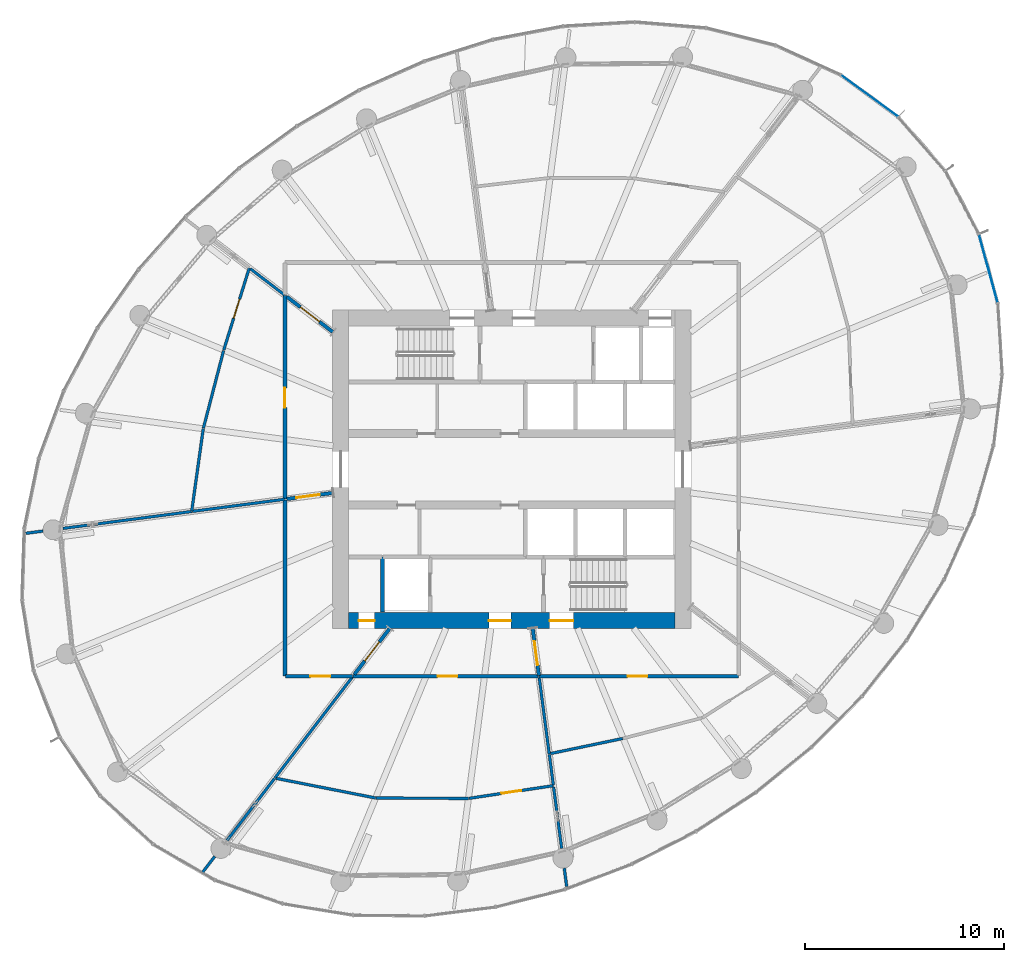
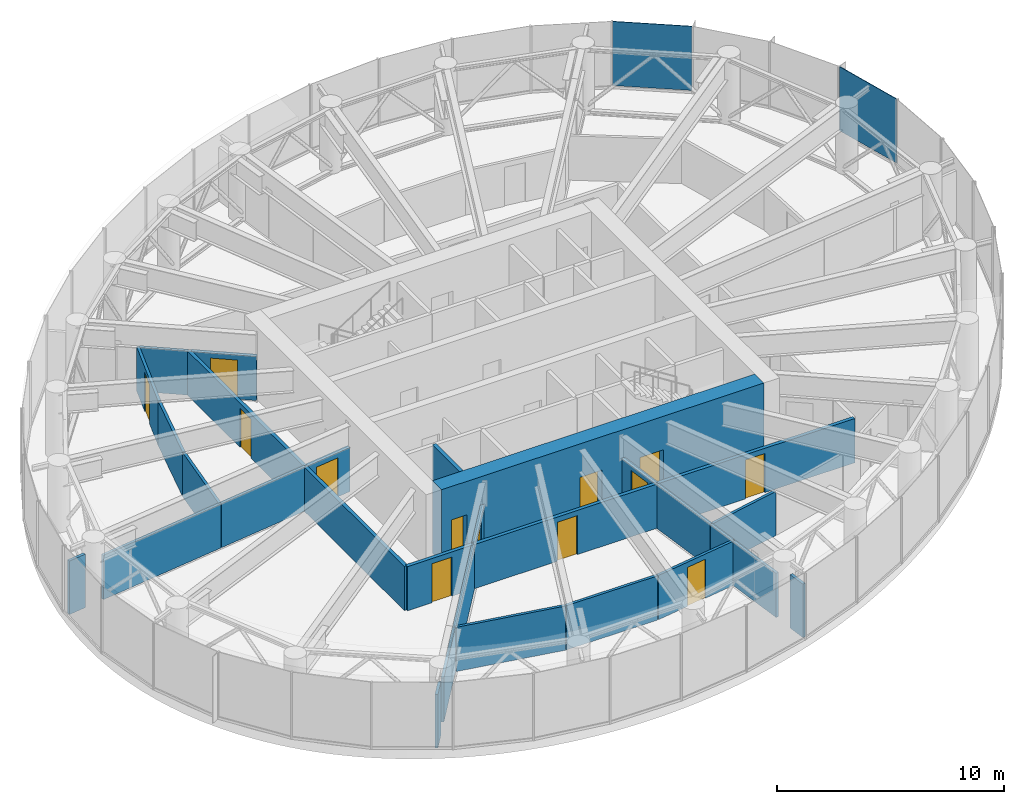
# One storey, part 13 of 25: 29 walls, 13 doors, 2 plates, 13 openings, 2 elements without a shape of their own.
"""IFC4 building model written with IfcOpenShell, lengths in metres."""

from ifc_helpers import new_model, si_unit, direction, frame, frame_2d, origin, origin_2d, place, context, subcontext, project, spatial, rectangle, extrude, source, transform, mapped, material, layer, layer_set, type_object, element, fill, aggregate, save


model = new_model("IFC4")

# Units and contexts
model_context = context("Model", 3, precision=1e-05, world=origin(), true_north=direction((0.0, 1.0)))
body_context = subcontext(model_context, "Body", "Model", "MODEL_VIEW")
ifc_project = project(units=[si_unit("LENGTHUNIT", "METRE"), si_unit("AREAUNIT", "SQUARE_METRE"), si_unit("VOLUMEUNIT", "CUBIC_METRE"), si_unit("PLANEANGLEUNIT", "RADIAN"), si_unit("MASSUNIT", "GRAM", prefix="KILO")], contexts=[model_context])

# Site, building, storey
site_placement = place(None, origin())
site = spatial("IfcSite", under=ifc_project, at=site_placement, CompositionType="ELEMENT")
building_placement = place(site_placement, origin())
building = spatial("IfcBuilding", under=site, at=building_placement, Name="Spindrift Exchange Tower", CompositionType="ELEMENT")
storey_placement = place(building_placement, frame((0.0, 0.0, 179.89990234375)))
storey = spatial("IfcBuildingStorey", under=building, at=storey_placement, Name="L43", CompositionType="ELEMENT", Elevation=179.89990234375)

# Curtain wall, plate
ifc_material_1 = material(Name="Fritted laminated glass with bronze frame", Category="glass")
ifc_layer_1 = layer(ifc_material_1, 0.179931640625)
ifc_layer_set_1 = layer_set([ifc_layer_1], Name="ZONE 3 BRONZE FRITTED WALL")
curtain_wall_type = type_object("IfcCurtainWallType", Name="ZONE 3 BRONZE FRITTED WALL", PredefinedType="NOTDEFINED", material=ifc_layer_set_1)
curtain_wall_1_placement = place(storey_placement, origin())
curtain_wall_1 = element("IfcCurtainWall", 1, at=curtain_wall_1_placement, inside=storey, type_object=curtain_wall_type, Name="L43 Zone 3 Bronze Fritted Wall run 1", PredefinedType="NOTDEFINED")
ifc_material_2 = material(Name="Bronze fritted laminated glass, dense frit", Category="glass")
ifc_layer_2 = layer(ifc_material_2, 0.031982421875)
ifc_layer_set_2 = layer_set([ifc_layer_2], Name="ZONE 3 BRONZE FRITTED WALL PANEL DENSE FRIT 180")
plate_type_1 = type_object("IfcPlateType", Name="ZONE 3 BRONZE FRITTED WALL PANEL DENSE FRIT 180", PredefinedType="CURTAIN_PANEL", material=ifc_layer_set_2)
shared_shape_1 = source(origin(), body_context, "Body", "SweptSolid", [
    extrude(rectangle(XDim=3.52587890625, YDim=0.031982421875, at=origin_2d()), origin(), (0.0, 0.0, 1.0), 3.449951171875),
])
plate_1_placement = place(storey_placement, frame((69.9833984375, 66.773193359375, 0.1298828125), z_axis=(0.0, 0.0, 1.0), x_axis=(-0.807117995977, 0.590390159615, 0.0)))
plate_1 = element("IfcPlate", 2, at=plate_1_placement, type_object=plate_type_1, Name="L43 panel CW-3.2", PredefinedType="CURTAIN_PANEL", context=body_context, shape_type="MappedRepresentation", body=[
    mapped(shared_shape_1, transform((0.0, 0.0, 0.0), scale=1.0)),
])
aggregate(curtain_wall_1, [plate_1])

curtain_wall_2_placement = place(storey_placement, origin())
curtain_wall_2 = element("IfcCurtainWall", 3, at=curtain_wall_2_placement, inside=storey, type_object=curtain_wall_type, Name="L43 Zone 3 Bronze Fritted Wall run 7", PredefinedType="NOTDEFINED")
ifc_layer_3 = layer(ifc_material_2, 0.031982421875)
ifc_layer_set_3 = layer_set([ifc_layer_3], Name="ZONE 3 BRONZE FRITTED WALL PANEL DENSE FRIT 420")
plate_type_2 = type_object("IfcPlateType", Name="ZONE 3 BRONZE FRITTED WALL PANEL DENSE FRIT 420", PredefinedType="CURTAIN_PANEL", material=ifc_layer_set_3)
shared_shape_2 = source(origin(), body_context, "Body", "SweptSolid", [
    extrude(rectangle(XDim=3.525634765625, YDim=0.031982421875, at=origin_2d()), origin(), (0.0, 0.0, 1.0), 3.449951171875),
])
plate_2_placement = place(storey_placement, frame((75.95751953125, 58.093994140625, 0.1298828125), z_axis=(0.0, 0.0, 1.0), x_axis=(-0.26322990572, 0.964733132392, 0.0)))
plate_2 = element("IfcPlate", 4, at=plate_2_placement, type_object=plate_type_2, Name="L43 panel CW-3.40", PredefinedType="CURTAIN_PANEL", context=body_context, shape_type="MappedRepresentation", body=[
    mapped(shared_shape_2, transform((0.0, 0.0, 0.0), scale=1.0)),
])
aggregate(curtain_wall_2, [plate_2])

# Wall, openings, doors
ifc_material_3 = material(Name="Concrete 65 MPa", Category="concrete")
ifc_layer_4 = layer(ifc_material_3, 0.800048828125)
ifc_layer_set_4 = layer_set([ifc_layer_4], Name="RC Core Wall 800 Concrete 65 MPa")
wall_type_1 = type_object("IfcWallType", Name="RC Core Wall 800 Concrete 65 MPa", PredefinedType="SHEAR", material=ifc_layer_set_4)
wall_1_placement = place(storey_placement, frame((43.800048828125, 40.39990234375, 0.0), z_axis=(0.0, 0.0, 1.0), x_axis=(1.0, 0.0, 0.0)))
wall_1 = element("IfcWall", 5, at=wall_1_placement, inside=storey, type_object=wall_type_1, Name="Core wall S L43", PredefinedType="SHEAR", context=body_context, shape_type="SweptSolid", body=[
    extrude(rectangle(XDim=16.39990234375, YDim=0.800048828125, at=frame_2d((8.199951171875, 0.0))), origin(), (0.0, 0.0, 1.0), 3.900146484375),
])
opening_1_placement = place(wall_1_placement, frame((10.10009765625, 0.0, 0.0)))
opening_1 = element("IfcOpeningElement", 6, at=opening_1_placement, cuts=wall_1, Name="Opening L43-D9", PredefinedType="OPENING", context=body_context, shape_type="SweptSolid", body=[
    extrude(rectangle(XDim=1.199951171875, YDim=2.10009765625, at=frame_2d((0.60009765625, 1.050048828125))), frame((0.0, 0.409912109375, 0.0), z_axis=(0.0, -1.0, 0.0), x_axis=(1.0, 0.0, 0.0)), (0.0, 0.0, 1.0), 0.820068359375),
])
opening_2_placement = place(wall_1_placement, frame((7.050048828125, 0.0, 0.0)))
opening_2 = element("IfcOpeningElement", 7, at=opening_2_placement, cuts=wall_1, Name="Opening L43-D11", PredefinedType="OPENING", context=body_context, shape_type="SweptSolid", body=[
    extrude(rectangle(XDim=1.10009765625, YDim=2.10009765625, at=frame_2d((0.550048828125, 1.050048828125))), frame((0.0, 0.409912109375, 0.0), z_axis=(0.0, -1.0, 0.0), x_axis=(1.0, 0.0, 0.0)), (0.0, 0.0, 1.0), 0.820068359375),
])
opening_3_placement = place(wall_1_placement, frame((0.5, 0.0, 0.0)))
opening_3 = element("IfcOpeningElement", 8, at=opening_3_placement, cuts=wall_1, Name="Opening L43-D12", PredefinedType="OPENING", context=body_context, shape_type="SweptSolid", body=[
    extrude(rectangle(XDim=0.800048828125, YDim=2.10009765625, at=frame_2d((0.39990234375, 1.050048828125))), frame((0.0, 0.409912109375, 0.0), z_axis=(0.0, -1.0, 0.0), x_axis=(1.0, 0.0, 0.0)), (0.0, 0.0, 1.0), 0.820068359375),
])
ifc_material_4 = material(Name="Steel fire door", Category="steel")
door_type_1 = type_object("IfcDoorType", Name="DR-STAIR-1200", OperationType="NOTDEFINED", PredefinedType="DOOR", material=ifc_material_4)
shared_shape_3 = source(origin(), body_context, "Body", "SweptSolid", [
    extrude(rectangle(XDim=1.199951171875, YDim=2.10009765625, at=frame_2d((0.60009765625, 1.050048828125))), frame((0.0, 0.02490234375, 0.0), z_axis=(0.0, -1.0, 0.0), x_axis=(1.0, 0.0, 0.0)), (0.0, 0.0, 1.0), 0.050048828125),
])
door_1_placement = place(opening_1_placement, origin())
door_1 = element("IfcDoor", 9, at=door_1_placement, inside=storey, type_object=door_type_1, Name="L43 Stair door 9", OperationType="SINGLE_SWING_RIGHT", OverallHeight=2.10009765625, OverallWidth=1.199951171875, PredefinedType="DOOR", context=body_context, shape_type="MappedRepresentation", body=[
    mapped(shared_shape_3, transform((0.0, 0.0, 0.0), scale=1.0)),
])
fill(opening_1, door_1)
ifc_material_5 = material(Name="Timber-core fire door", Category="wood")
door_type_2 = type_object("IfcDoorType", Name="DR-LOBBY-1100", OperationType="NOTDEFINED", PredefinedType="DOOR", material=ifc_material_5)
shared_shape_4 = source(origin(), body_context, "Body", "SweptSolid", [
    extrude(rectangle(XDim=1.10009765625, YDim=2.10009765625, at=frame_2d((0.550048828125, 1.050048828125))), frame((0.0, 0.02490234375, 0.0), z_axis=(0.0, -1.0, 0.0), x_axis=(1.0, 0.0, 0.0)), (0.0, 0.0, 1.0), 0.050048828125),
])
door_2_placement = place(opening_2_placement, origin())
door_2 = element("IfcDoor", 10, at=door_2_placement, inside=storey, type_object=door_type_2, Name="L43 Lobby door 11", OperationType="SINGLE_SWING_RIGHT", OverallHeight=2.10009765625, OverallWidth=1.10009765625, PredefinedType="DOOR", context=body_context, shape_type="MappedRepresentation", body=[
    mapped(shared_shape_4, transform((0.0, 0.0, 0.0), scale=1.0)),
])
fill(opening_2, door_2)
ifc_material_6 = material(Name="Steel access door", Category="steel")
door_type_3 = type_object("IfcDoorType", Name="DR-RISER-800", OperationType="NOTDEFINED", PredefinedType="DOOR", material=ifc_material_6)
shared_shape_5 = source(origin(), body_context, "Body", "SweptSolid", [
    extrude(rectangle(XDim=0.800048828125, YDim=2.10009765625, at=frame_2d((0.39990234375, 1.050048828125))), frame((0.0, 0.02490234375, 0.0), z_axis=(0.0, -1.0, 0.0), x_axis=(1.0, 0.0, 0.0)), (0.0, 0.0, 1.0), 0.050048828125),
])
door_3_placement = place(opening_3_placement, origin())
door_3 = element("IfcDoor", 11, at=door_3_placement, inside=storey, type_object=door_type_3, Name="L43 Riser door 12", OperationType="SINGLE_SWING_LEFT", OverallHeight=2.10009765625, OverallWidth=0.800048828125, PredefinedType="DOOR", context=body_context, shape_type="MappedRepresentation", body=[
    mapped(shared_shape_5, transform((0.0, 0.0, 0.0), scale=1.0)),
])
fill(opening_3, door_3)

# Wall, opening, door
ifc_material_7 = material(Name="Fire-rated plasterboard partition", Category="gypsum")
ifc_layer_5 = layer(ifc_material_7, 0.179931640625)
ifc_layer_set_5 = layer_set([ifc_layer_5], Name="W-CORR-180-SOFFIT")
wall_type_2 = type_object("IfcWallType", Name="W-CORR-180-SOFFIT", PredefinedType="PARTITIONING", material=ifc_layer_set_5)
wall_2_placement = place(storey_placement, frame((40.68994140625, 56.678466796875, 0.0), z_axis=(0.0, 0.0, 1.0), x_axis=(0.793371480341, -0.608737787706, 0.0)))
wall_2 = element("IfcWall", 12, at=wall_2_placement, inside=storey, type_object=wall_type_2, Name="L43 Partition wall 37", PredefinedType="PARTITIONING", context=body_context, shape_type="SweptSolid", body=[
    extrude(rectangle(XDim=2.91162109375, YDim=0.179931640625, at=frame_2d((1.455810546875, 0.0))), origin(), (0.0, 0.0, 1.0), 2.380126953125),
])
opening_4_placement = place(wall_2_placement, frame((0.86181640625, 0.0, 0.0)))
opening_4 = element("IfcOpeningElement", 13, at=opening_4_placement, cuts=wall_2, Name="Opening L43-D28", PredefinedType="OPENING", context=body_context, shape_type="SweptSolid", body=[
    extrude(rectangle(XDim=1.199951171875, YDim=2.10009765625, at=frame_2d((0.60009765625, 1.050048828125))), frame((0.0, 0.099853515625, 0.0), z_axis=(0.0, -1.0, 0.0), x_axis=(1.0, 0.0, 0.0)), (0.0, 0.0, 1.0), 0.199951171875),
])
door_type_4 = type_object("IfcDoorType", Name="DR-PLANT-1200", OperationType="NOTDEFINED", PredefinedType="DOOR", material=ifc_material_4)
shared_shape_6 = source(origin(), body_context, "Body", "SweptSolid", [
    extrude(rectangle(XDim=1.199951171875, YDim=2.10009765625, at=frame_2d((0.60009765625, 1.050048828125))), frame((0.0, 0.02490234375, 0.0), z_axis=(0.0, -1.0, 0.0), x_axis=(1.0, 0.0, 0.0)), (0.0, 0.0, 1.0), 0.050048828125),
])
door_4_placement = place(opening_4_placement, origin())
door_4 = element("IfcDoor", 14, at=door_4_placement, inside=storey, type_object=door_type_4, Name="L43 Plant room door 28", OperationType="SINGLE_SWING_LEFT", OverallHeight=2.10009765625, OverallWidth=1.199951171875, PredefinedType="DOOR", context=body_context, shape_type="MappedRepresentation", body=[
    mapped(shared_shape_6, transform((0.0, 0.0, 0.0), scale=1.0)),
])
fill(opening_4, door_4)

wall_3_placement = place(storey_placement, frame((44.0888671875, 37.68994140625, 0.0), z_axis=(0.0, 0.0, 1.0), x_axis=(0.608737787706, 0.793371480341, 0.0)))
wall_3 = element("IfcWall", 15, at=wall_3_placement, inside=storey, type_object=wall_type_2, Name="L43 Partition wall 38", PredefinedType="PARTITIONING", context=body_context, shape_type="SweptSolid", body=[
    extrude(rectangle(XDim=2.91162109375, YDim=0.179931640625, at=frame_2d((1.455810546875, 0.0))), origin(), (0.0, 0.0, 1.0), 2.380126953125),
])
opening_5_placement = place(wall_3_placement, frame((0.86181640625, 0.0, 0.0)))
opening_5 = element("IfcOpeningElement", 16, at=opening_5_placement, cuts=wall_3, Name="Opening L43-D30", PredefinedType="OPENING", context=body_context, shape_type="SweptSolid", body=[
    extrude(rectangle(XDim=1.199951171875, YDim=2.10009765625, at=frame_2d((0.60009765625, 1.050048828125))), frame((0.0, 0.099853515625, 0.0), z_axis=(0.0, -1.0, 0.0), x_axis=(1.0, 0.0, 0.0)), (0.0, 0.0, 1.0), 0.199951171875),
])
door_5_placement = place(opening_5_placement, origin())
door_5 = element("IfcDoor", 17, at=door_5_placement, inside=storey, type_object=door_type_4, Name="L43 Plant room door 30", OperationType="SINGLE_SWING_LEFT", OverallHeight=2.10009765625, OverallWidth=1.199951171875, PredefinedType="DOOR", context=body_context, shape_type="MappedRepresentation", body=[
    mapped(shared_shape_6, transform((0.0, 0.0, 0.0), scale=1.0)),
])
fill(opening_5, door_5)

wall_4_placement = place(storey_placement, frame((40.68994140625, 46.510986328125, 0.0), z_axis=(0.0, 0.0, 1.0), x_axis=(0.991440737811, 0.130557509967, 0.0)))
wall_4 = element("IfcWall", 18, at=wall_4_placement, inside=storey, type_object=wall_type_2, Name="L43 Partition wall 41", PredefinedType="PARTITIONING", context=body_context, shape_type="SweptSolid", body=[
    extrude(rectangle(XDim=2.330078125, YDim=0.179931640625, at=frame_2d((1.1650390625, 0.0))), origin(), (0.0, 0.0, 1.0), 2.380126953125),
])
opening_6_placement = place(wall_4_placement, frame((0.47998046875, 0.0, 0.0)))
opening_6 = element("IfcOpeningElement", 19, at=opening_6_placement, cuts=wall_4, Name="Opening L43-D29", PredefinedType="OPENING", context=body_context, shape_type="SweptSolid", body=[
    extrude(rectangle(XDim=1.199951171875, YDim=2.10009765625, at=frame_2d((0.60009765625, 1.050048828125))), frame((0.0, 0.099853515625, 0.0), z_axis=(0.0, -1.0, 0.0), x_axis=(1.0, 0.0, 0.0)), (0.0, 0.0, 1.0), 0.199951171875),
])
door_6_placement = place(opening_6_placement, origin())
door_6 = element("IfcDoor", 20, at=door_6_placement, inside=storey, type_object=door_type_4, Name="L43 Plant room door 29", OperationType="SINGLE_SWING_RIGHT", OverallHeight=2.10009765625, OverallWidth=1.199951171875, PredefinedType="DOOR", context=body_context, shape_type="MappedRepresentation", body=[
    mapped(shared_shape_6, transform((0.0, 0.0, 0.0), scale=1.0)),
])
fill(opening_6, door_6)

wall_5_placement = place(storey_placement, frame((53.365234375, 37.629638671875, 0.0), z_axis=(0.0, 0.0, 1.0), x_axis=(-0.130504701654, 0.991447690424, 0.0)))
wall_5 = element("IfcWall", 21, at=wall_5_placement, inside=storey, type_object=wall_type_2, Name="L43 Partition wall 42", PredefinedType="PARTITIONING", context=body_context, shape_type="SweptSolid", body=[
    extrude(rectangle(XDim=2.390869140625, YDim=0.179931640625, at=frame_2d((1.1953125, 0.0))), origin(), (0.0, 0.0, 1.0), 2.380126953125),
])
opening_7_placement = place(wall_5_placement, frame((0.540771484375, 0.0, 0.0)))
opening_7 = element("IfcOpeningElement", 22, at=opening_7_placement, cuts=wall_5, Name="Opening L43-D31", PredefinedType="OPENING", context=body_context, shape_type="SweptSolid", body=[
    extrude(rectangle(XDim=1.199951171875, YDim=2.10009765625, at=frame_2d((0.60009765625, 1.050048828125))), frame((0.0, 0.099853515625, 0.0), z_axis=(0.0, -1.0, 0.0), x_axis=(1.0, 0.0, 0.0)), (0.0, 0.0, 1.0), 0.199951171875),
])
door_7_placement = place(opening_7_placement, origin())
door_7 = element("IfcDoor", 23, at=door_7_placement, inside=storey, type_object=door_type_4, Name="L43 Plant room door 31", OperationType="SINGLE_SWING_RIGHT", OverallHeight=2.10009765625, OverallWidth=1.199951171875, PredefinedType="DOOR", context=body_context, shape_type="MappedRepresentation", body=[
    mapped(shared_shape_6, transform((0.0, 0.0, 0.0), scale=1.0)),
])
fill(opening_7, door_7)

# Walls
ifc_layer_6 = layer(ifc_material_7, 0.139892578125)
ifc_layer_set_6 = layer_set([ifc_layer_6], Name="W-PLANT-140")
wall_type_3 = type_object("IfcWallType", Name="W-PLANT-140", PredefinedType="PARTITIONING", material=ifc_layer_set_6)
wall_6_placement = place(storey_placement, frame((37.068115234375, 28.540283203125, 0.0), z_axis=(0.0, 0.0, 1.0), x_axis=(-0.608854774338, -0.793281705175, 0.0)))
element("IfcWall", 24, at=wall_6_placement, inside=storey, type_object=wall_type_3, Name="L43 Partition wall 82", PredefinedType="PARTITIONING", context=body_context, shape_type="SweptSolid", body=[
    extrude(rectangle(XDim=0.992919921875, YDim=0.139892578125, at=frame_2d((0.49658203125, 0.0))), origin(), (0.0, 0.0, 1.0), 2.880126953125),
])
wall_7_placement = place(storey_placement, frame((54.639892578125, 27.948486328125, 0.0), z_axis=(0.0, 0.0, 1.0), x_axis=(0.130488267119, -0.99144985357, 0.0)))
element("IfcWall", 25, at=wall_7_placement, inside=storey, type_object=wall_type_3, Name="L43 Partition wall 84", PredefinedType="PARTITIONING", context=body_context, shape_type="SweptSolid", body=[
    extrude(rectangle(XDim=0.935546875, YDim=0.139892578125, at=frame_2d((0.4677734375, 0.0))), origin(), (0.0, 0.0, 1.0), 2.880126953125),
])
wall_8_placement = place(storey_placement, frame((28.43798828125, 44.89794921875, 0.0), z_axis=(0.0, 0.0, 1.0), x_axis=(-0.991459985339, -0.130411262827, 0.0)))
element("IfcWall", 26, at=wall_8_placement, inside=storey, type_object=wall_type_3, Name="L43 Partition wall 87", PredefinedType="PARTITIONING", context=body_context, shape_type="SweptSolid", body=[
    extrude(rectangle(XDim=0.876220703125, YDim=0.139892578125, at=frame_2d((0.43798828125, 0.0))), origin(), (0.0, 0.0, 1.0), 2.880126953125),
])
ifc_layer_7 = layer(ifc_material_7, 0.139892578125)
ifc_layer_set_7 = layer_set([ifc_layer_7], Name="W-PLANT-140-SOFFIT")
wall_type_4 = type_object("IfcWallType", Name="W-PLANT-140-SOFFIT", PredefinedType="PARTITIONING", material=ifc_layer_set_7)
wall_9_placement = place(storey_placement, frame((35.908935546875, 45.881591796875, 0.0), z_axis=(0.0, 0.0, 1.0), x_axis=(-0.991447036881, -0.130509666541, 0.0)))
element("IfcWall", 27, at=wall_9_placement, inside=storey, type_object=wall_type_4, Name="L43 Partition wall 47", PredefinedType="PARTITIONING", context=body_context, shape_type="SweptSolid", body=[
    extrude(rectangle(XDim=6.52685546875, YDim=0.139892578125, at=frame_2d((3.263427734375, 0.0))), origin(), (0.0, 0.0, 1.0), 2.380126953125),
])
wall_10_placement = place(storey_placement, frame((43.99755859375, 37.571044921875, 0.0), z_axis=(0.0, 0.0, 1.0), x_axis=(-0.608770902547, -0.7933460709, 0.0)))
element("IfcWall", 28, at=wall_10_placement, inside=storey, type_object=wall_type_4, Name="L43 Partition wall 48", PredefinedType="PARTITIONING", context=body_context, shape_type="SweptSolid", body=[
    extrude(rectangle(XDim=6.417724609375, YDim=0.139892578125, at=frame_2d((3.208984375, 0.0))), origin(), (0.0, 0.0, 1.0), 2.380126953125),
])
wall_11_placement = place(storey_placement, frame((40.167236328125, 32.46435546875, 0.0), z_axis=(0.0, 0.0, 1.0), x_axis=(0.981032247985, -0.193844598618, 0.0)))
element("IfcWall", 29, at=wall_11_placement, inside=storey, type_object=wall_type_4, Name="L43 Partition wall 51", PredefinedType="PARTITIONING", context=body_context, shape_type="SweptSolid", body=[
    extrude(rectangle(XDim=5.085693359375, YDim=0.139892578125, at=frame_2d((2.54296875, 0.0))), origin(), (0.0, 0.0, 1.0), 2.380126953125),
])
wall_12_placement = place(storey_placement, frame((40.5703125, 46.4951171875, 0.0), z_axis=(0.0, 0.0, 1.0), x_axis=(-0.991448780362, -0.130496421093, 0.0)))
element("IfcWall", 30, at=wall_12_placement, inside=storey, type_object=wall_type_4, Name="L43 Partition wall 57", PredefinedType="PARTITIONING", context=body_context, shape_type="SweptSolid", body=[
    extrude(rectangle(XDim=4.671630859375, YDim=0.139892578125, at=frame_2d((2.3359375, 0.0))), origin(), (0.0, 0.0, 1.0), 2.380126953125),
])
wall_13_placement = place(storey_placement, frame((45.1865234375, 31.478515625, 0.0), z_axis=(0.0, 0.0, 1.0), x_axis=(0.999988261157, -0.004845363671, 0.0)))
element("IfcWall", 31, at=wall_13_placement, inside=storey, type_object=wall_type_4, Name="L43 Partition wall 59", PredefinedType="PARTITIONING", context=body_context, shape_type="SweptSolid", body=[
    extrude(rectangle(XDim=4.635498046875, YDim=0.139892578125, at=frame_2d((2.31787109375, 0.0))), origin(), (0.0, 0.0, 1.0), 2.380126953125),
])

# Wall, opening, door
wall_14_placement = place(storey_placement, frame((37.521240234375, 53.997314453125, 0.0), z_axis=(0.0, 0.0, 1.0), x_axis=(0.297235933426, 0.954804063607, 0.0)))
wall_14 = element("IfcWall", 32, at=wall_14_placement, inside=storey, type_object=wall_type_4, Name="L43 Partition wall 62", PredefinedType="PARTITIONING", context=body_context, shape_type="SweptSolid", body=[
    extrude(rectangle(XDim=4.322021484375, YDim=0.139892578125, at=frame_2d((2.1611328125, 0.0))), origin(), (0.0, 0.0, 1.0), 2.380126953125),
])
opening_8_placement = place(wall_14_placement, frame((1.672119140625, 0.0, 0.0)))
opening_8 = element("IfcOpeningElement", 33, at=opening_8_placement, cuts=wall_14, Name="Opening L43-D19", PredefinedType="OPENING", context=body_context, shape_type="SweptSolid", body=[
    extrude(rectangle(XDim=1.0, YDim=2.10009765625, at=frame_2d((0.5, 1.050048828125))), frame((0.0, 0.079833984375, 0.0), z_axis=(0.0, -1.0, 0.0), x_axis=(1.0, 0.0, 0.0)), (0.0, 0.0, 1.0), 0.159912109375),
])
door_type_5 = type_object("IfcDoorType", Name="DR-ROOM-1000", OperationType="NOTDEFINED", PredefinedType="DOOR", material=ifc_material_5)
shared_shape_7 = source(origin(), body_context, "Body", "SweptSolid", [
    extrude(rectangle(XDim=1.0, YDim=2.10009765625, at=frame_2d((0.5, 1.050048828125))), frame((0.0, 0.02490234375, 0.0), z_axis=(0.0, -1.0, 0.0), x_axis=(1.0, 0.0, 0.0)), (0.0, 0.0, 1.0), 0.050048828125),
])
door_8_placement = place(opening_8_placement, origin())
door_8 = element("IfcDoor", 34, at=door_8_placement, inside=storey, type_object=door_type_5, Name="L43 Door 19", OperationType="SINGLE_SWING_RIGHT", OverallHeight=2.10009765625, OverallWidth=1.0, PredefinedType="DOOR", context=body_context, shape_type="MappedRepresentation", body=[
    mapped(shared_shape_7, transform((0.0, 0.0, 0.0), scale=1.0)),
])
fill(opening_8, door_8)

wall_15_placement = place(storey_placement, frame((54.093505859375, 32.098876953125, 0.0), z_axis=(0.0, 0.0, 1.0), x_axis=(-0.988863178372, -0.148827465407, 0.0)))
wall_15 = element("IfcWall", 35, at=wall_15_placement, inside=storey, type_object=wall_type_4, Name="L43 Partition wall 63", PredefinedType="PARTITIONING", context=body_context, shape_type="SweptSolid", body=[
    extrude(rectangle(XDim=4.289794921875, YDim=0.139892578125, at=frame_2d((2.14501953125, 0.0))), origin(), (0.0, 0.0, 1.0), 2.380126953125),
])
opening_9_placement = place(wall_15_placement, frame((1.6396484375, 0.0, 0.0)))
opening_9 = element("IfcOpeningElement", 36, at=opening_9_placement, cuts=wall_15, Name="Opening L43-D22", PredefinedType="OPENING", context=body_context, shape_type="SweptSolid", body=[
    extrude(rectangle(XDim=1.0, YDim=2.10009765625, at=frame_2d((0.5, 1.050048828125))), frame((0.0, 0.079833984375, 0.0), z_axis=(0.0, -1.0, 0.0), x_axis=(1.0, 0.0, 0.0)), (0.0, 0.0, 1.0), 0.159912109375),
])
door_9_placement = place(opening_9_placement, origin())
door_9 = element("IfcDoor", 37, at=door_9_placement, inside=storey, type_object=door_type_5, Name="L43 Door 22", OperationType="SINGLE_SWING_LEFT", OverallHeight=2.10009765625, OverallWidth=1.0, PredefinedType="DOOR", context=body_context, shape_type="MappedRepresentation", body=[
    mapped(shared_shape_7, transform((0.0, 0.0, 0.0), scale=1.0)),
])
fill(opening_9, door_9)

# Walls
wall_16_placement = place(storey_placement, frame((36.490966796875, 50.041748046875, 0.0), z_axis=(0.0, 0.0, 1.0), x_axis=(-0.138560575964, -0.990353960354, 0.0)))
element("IfcWall", 38, at=wall_16_placement, inside=storey, type_object=wall_type_4, Name="L43 Partition wall 64", PredefinedType="PARTITIONING", context=body_context, shape_type="SweptSolid", body=[
    extrude(rectangle(XDim=4.170654296875, YDim=0.139892578125, at=frame_2d((2.08544921875, 0.0))), origin(), (0.0, 0.0, 1.0), 2.380126953125),
])
wall_17_placement = place(storey_placement, frame((37.513671875, 53.96826171875, 0.0), z_axis=(0.0, 0.0, 1.0), x_axis=(-0.252051730305, -0.967713762045, 0.0)))
element("IfcWall", 39, at=wall_17_placement, inside=storey, type_object=wall_type_4, Name="L43 Partition wall 67", PredefinedType="PARTITIONING", context=body_context, shape_type="SweptSolid", body=[
    extrude(rectangle(XDim=4.027587890625, YDim=0.139892578125, at=frame_2d((2.013671875, 0.0))), origin(), (0.0, 0.0, 1.0), 2.380126953125),
])
wall_18_placement = place(storey_placement, frame((40.072509765625, 32.45556640625, 0.0), z_axis=(0.0, 0.0, 1.0), x_axis=(-0.608817875064, -0.793310024519, 0.0)))
element("IfcWall", 40, at=wall_18_placement, inside=storey, type_object=wall_type_4, Name="L43 Partition wall 68", PredefinedType="PARTITIONING", context=body_context, shape_type="SweptSolid", body=[
    extrude(rectangle(XDim=3.92626953125, YDim=0.139892578125, at=frame_2d((1.963134765625, 0.0))), origin(), (0.0, 0.0, 1.0), 2.380126953125),
])
wall_19_placement = place(storey_placement, frame((53.381103515625, 37.510009765625, 0.0), z_axis=(0.0, 0.0, 1.0), x_axis=(0.130503795096, -0.991447809754, 0.0)))
element("IfcWall", 41, at=wall_19_placement, inside=storey, type_object=wall_type_4, Name="L43 Partition wall 69", PredefinedType="PARTITIONING", context=body_context, shape_type="SweptSolid", body=[
    extrude(rectangle(XDim=3.844482421875, YDim=0.139892578125, at=frame_2d((1.92236328125, 0.0))), origin(), (0.0, 0.0, 1.0), 2.380126953125),
])
wall_20_placement = place(storey_placement, frame((53.951416015625, 33.712890625, 0.0), z_axis=(0.0, 0.0, 1.0), x_axis=(0.978877627359, 0.204447036308, 0.0)))
element("IfcWall", 42, at=wall_20_placement, inside=storey, type_object=wall_type_4, Name="L43 Partition wall 72", PredefinedType="PARTITIONING", context=body_context, shape_type="SweptSolid", body=[
    extrude(rectangle(XDim=3.699462890625, YDim=0.139892578125, at=frame_2d((1.849609375, 0.0))), origin(), (0.0, 0.0, 1.0), 2.380126953125),
])
wall_21_placement = place(storey_placement, frame((54.1025390625, 32.029541015625, 0.0), z_axis=(0.0, 0.0, 1.0), x_axis=(0.130501257376, -0.991448143789, 0.0)))
element("IfcWall", 43, at=wall_21_placement, inside=storey, type_object=wall_type_4, Name="L43 Partition wall 73", PredefinedType="PARTITIONING", context=body_context, shape_type="SweptSolid", body=[
    extrude(rectangle(XDim=3.107421875, YDim=0.139892578125, at=frame_2d((1.5537109375, 0.0))), origin(), (0.0, 0.0, 1.0), 2.380126953125),
])
wall_22_placement = place(storey_placement, frame((40.571044921875, 56.769775390625, 0.0), z_axis=(0.0, 0.0, 1.0), x_axis=(-0.79337054143, 0.608739011393, 0.0)))
element("IfcWall", 44, at=wall_22_placement, inside=storey, type_object=wall_type_4, Name="L43 Partition wall 77", PredefinedType="PARTITIONING", context=body_context, shape_type="SweptSolid", body=[
    extrude(rectangle(XDim=2.150146484375, YDim=0.139892578125, at=frame_2d((1.0751953125, 0.0))), origin(), (0.0, 0.0, 1.0), 2.380126953125),
])
wall_23_placement = place(storey_placement, frame((53.88671875, 33.668701171875, 0.0), z_axis=(0.0, 0.0, 1.0), x_axis=(0.130609007081, -0.991433955072, 0.0)))
element("IfcWall", 45, at=wall_23_placement, inside=storey, type_object=wall_type_4, Name="L43 Partition wall 80", PredefinedType="PARTITIONING", context=body_context, shape_type="SweptSolid", body=[
    extrude(rectangle(XDim=1.553466796875, YDim=0.139892578125, at=frame_2d((0.77685546875, 0.0))), origin(), (0.0, 0.0, 1.0), 2.380126953125),
])

# Wall, opening, door
ifc_layer_8 = layer(ifc_material_7, 0.179931640625)
ifc_layer_set_8 = layer_set([ifc_layer_8], Name="W-PLANT-180-SOFFIT")
wall_type_5 = type_object("IfcWallType", Name="W-PLANT-180-SOFFIT", PredefinedType="PARTITIONING", material=ifc_layer_set_8)
wall_24_placement = place(storey_placement, frame((40.60009765625, 46.499267578125, 0.0), z_axis=(0.0, 0.0, 1.0), x_axis=(0.0, 1.0, 0.0)))
wall_24 = element("IfcWall", 46, at=wall_24_placement, inside=storey, type_object=wall_type_5, Name="L43 Partition wall 27", PredefinedType="PARTITIONING", context=body_context, shape_type="SweptSolid", body=[
    extrude(rectangle(XDim=10.248291015625, YDim=0.179931640625, at=frame_2d((5.1240234375, 0.0))), origin(), (0.0, 0.0, 1.0), 2.380126953125),
])
opening_10_placement = place(wall_24_placement, frame((4.598388671875, 0.0, 0.0)))
opening_10 = element("IfcOpeningElement", 47, at=opening_10_placement, cuts=wall_24, Name="Opening L43-D18", PredefinedType="OPENING", context=body_context, shape_type="SweptSolid", body=[
    extrude(rectangle(XDim=1.0, YDim=2.10009765625, at=frame_2d((0.5, 1.050048828125))), frame((0.0, 0.099853515625, 0.0), z_axis=(0.0, -1.0, 0.0), x_axis=(1.0, 0.0, 0.0)), (0.0, 0.0, 1.0), 0.199951171875),
])
door_10_placement = place(opening_10_placement, origin())
door_10 = element("IfcDoor", 48, at=door_10_placement, inside=storey, type_object=door_type_5, Name="L43 Door 18", OperationType="SINGLE_SWING_LEFT", OverallHeight=2.10009765625, OverallWidth=1.0, PredefinedType="DOOR", context=body_context, shape_type="MappedRepresentation", body=[
    mapped(shared_shape_7, transform((0.0, 0.0, 0.0), scale=1.0)),
])
fill(opening_10, door_10)

wall_25_placement = place(storey_placement, frame((63.39990234375, 37.60009765625, 0.0), z_axis=(0.0, 0.0, 1.0), x_axis=(-1.0, 0.0, 0.0)))
wall_25 = element("IfcWall", 49, at=wall_25_placement, inside=storey, type_object=wall_type_5, Name="L43 Partition wall 30", PredefinedType="PARTITIONING", context=body_context, shape_type="SweptSolid", body=[
    extrude(rectangle(XDim=10.03076171875, YDim=0.179931640625, at=frame_2d((5.015380859375, 0.0))), origin(), (0.0, 0.0, 1.0), 2.380126953125),
])
opening_11_placement = place(wall_25_placement, frame((4.580810546875, 0.0, 0.0)))
opening_11 = element("IfcOpeningElement", 50, at=opening_11_placement, cuts=wall_25, Name="Opening L43-D23", PredefinedType="OPENING", context=body_context, shape_type="SweptSolid", body=[
    extrude(rectangle(XDim=1.0, YDim=2.10009765625, at=frame_2d((0.5, 1.050048828125))), frame((0.0, 0.099853515625, 0.0), z_axis=(0.0, -1.0, 0.0), x_axis=(1.0, 0.0, 0.0)), (0.0, 0.0, 1.0), 0.199951171875),
])
door_11_placement = place(opening_11_placement, origin())
door_11 = element("IfcDoor", 51, at=door_11_placement, inside=storey, type_object=door_type_5, Name="L43 Door 23", OperationType="SINGLE_SWING_RIGHT", OverallHeight=2.10009765625, OverallWidth=1.0, PredefinedType="DOOR", context=body_context, shape_type="MappedRepresentation", body=[
    mapped(shared_shape_7, transform((0.0, 0.0, 0.0), scale=1.0)),
])
fill(opening_11, door_11)

wall_26_placement = place(storey_placement, frame((53.339111328125, 37.60009765625, 0.0), z_axis=(0.0, 0.0, 1.0), x_axis=(-1.0, 0.0, 0.0)))
wall_26 = element("IfcWall", 52, at=wall_26_placement, inside=storey, type_object=wall_type_5, Name="L43 Partition wall 31", PredefinedType="PARTITIONING", context=body_context, shape_type="SweptSolid", body=[
    extrude(rectangle(XDim=9.3193359375, YDim=0.179931640625, at=frame_2d((4.65966796875, 0.0))), origin(), (0.0, 0.0, 1.0), 2.380126953125),
])
opening_12_placement = place(wall_26_placement, frame((4.0693359375, 0.0, 0.0)))
opening_12 = element("IfcOpeningElement", 53, at=opening_12_placement, cuts=wall_26, Name="Opening L43-D21", PredefinedType="OPENING", context=body_context, shape_type="SweptSolid", body=[
    extrude(rectangle(XDim=1.0, YDim=2.10009765625, at=frame_2d((0.5, 1.050048828125))), frame((0.0, 0.099853515625, 0.0), z_axis=(0.0, -1.0, 0.0), x_axis=(1.0, 0.0, 0.0)), (0.0, 0.0, 1.0), 0.199951171875),
])
door_12_placement = place(opening_12_placement, origin())
door_12 = element("IfcDoor", 54, at=door_12_placement, inside=storey, type_object=door_type_5, Name="L43 Door 21", OperationType="SINGLE_SWING_RIGHT", OverallHeight=2.10009765625, OverallWidth=1.0, PredefinedType="DOOR", context=body_context, shape_type="MappedRepresentation", body=[
    mapped(shared_shape_7, transform((0.0, 0.0, 0.0), scale=1.0)),
])
fill(opening_12, door_12)

# Wall
wall_27_placement = place(storey_placement, frame((40.60009765625, 46.46923828125, 0.0), z_axis=(0.0, 0.0, 1.0), x_axis=(0.0, -1.0, 0.0)))
element("IfcWall", 55, at=wall_27_placement, inside=storey, type_object=wall_type_5, Name="L43 Partition wall 33", PredefinedType="PARTITIONING", context=body_context, shape_type="SweptSolid", body=[
    extrude(rectangle(XDim=8.869140625, YDim=0.179931640625, at=frame_2d((4.4345703125, 0.0))), origin(), (0.0, 0.0, 1.0), 2.380126953125),
])

# Wall, opening, door
wall_28_placement = place(storey_placement, frame((43.98974609375, 37.60009765625, 0.0), z_axis=(0.0, 0.0, 1.0), x_axis=(-1.0, 0.0, 0.0)))
wall_28 = element("IfcWall", 56, at=wall_28_placement, inside=storey, type_object=wall_type_5, Name="L43 Partition wall 36", PredefinedType="PARTITIONING", context=body_context, shape_type="SweptSolid", body=[
    extrude(rectangle(XDim=3.35986328125, YDim=0.179931640625, at=frame_2d((1.679931640625, 0.0))), origin(), (0.0, 0.0, 1.0), 2.380126953125),
])
opening_13_placement = place(wall_28_placement, frame((1.10986328125, 0.0, 0.0)))
opening_13 = element("IfcOpeningElement", 57, at=opening_13_placement, cuts=wall_28, Name="Opening L43-D20", PredefinedType="OPENING", context=body_context, shape_type="SweptSolid", body=[
    extrude(rectangle(XDim=1.0, YDim=2.10009765625, at=frame_2d((0.5, 1.050048828125))), frame((0.0, 0.099853515625, 0.0), z_axis=(0.0, -1.0, 0.0), x_axis=(1.0, 0.0, 0.0)), (0.0, 0.0, 1.0), 0.199951171875),
])
door_13_placement = place(opening_13_placement, origin())
door_13 = element("IfcDoor", 58, at=door_13_placement, inside=storey, type_object=door_type_5, Name="L43 Door 20", OperationType="SINGLE_SWING_LEFT", OverallHeight=2.10009765625, OverallWidth=1.0, PredefinedType="DOOR", context=body_context, shape_type="MappedRepresentation", body=[
    mapped(shared_shape_7, transform((0.0, 0.0, 0.0), scale=1.0)),
])
fill(opening_13, door_13)

# Wall
ifc_material_8 = material(Name="Concrete 40 MPa", Category="concrete")
ifc_layer_9 = layer(ifc_material_8, 0.199951171875)
ifc_layer_set_9 = layer_set([ifc_layer_9], Name="W-SHAFT-200")
wall_type_6 = type_object("IfcWallType", Name="W-SHAFT-200", PredefinedType="SOLIDWALL", material=ifc_layer_set_9)
wall_29_placement = place(storey_placement, frame((45.5, 43.60009765625, 0.0), z_axis=(0.0, 0.0, 1.0), x_axis=(0.0, -1.0, 0.0)))
element("IfcWall", 59, at=wall_29_placement, inside=storey, type_object=wall_type_6, Name="L43 Shaft wall 3", PredefinedType="SOLIDWALL", context=body_context, shape_type="SweptSolid", body=[
    extrude(rectangle(XDim=2.780029296875, YDim=0.199951171875, at=frame_2d((1.39013671875, 0.0))), origin(), (0.0, 0.0, 1.0), 3.580078125),
])

save(model, "model.ifc")
